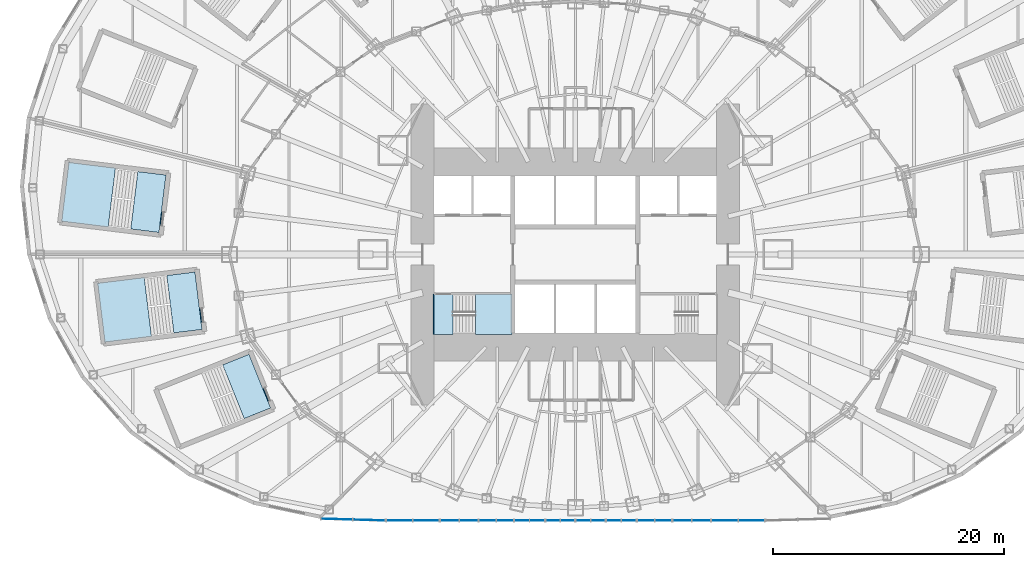
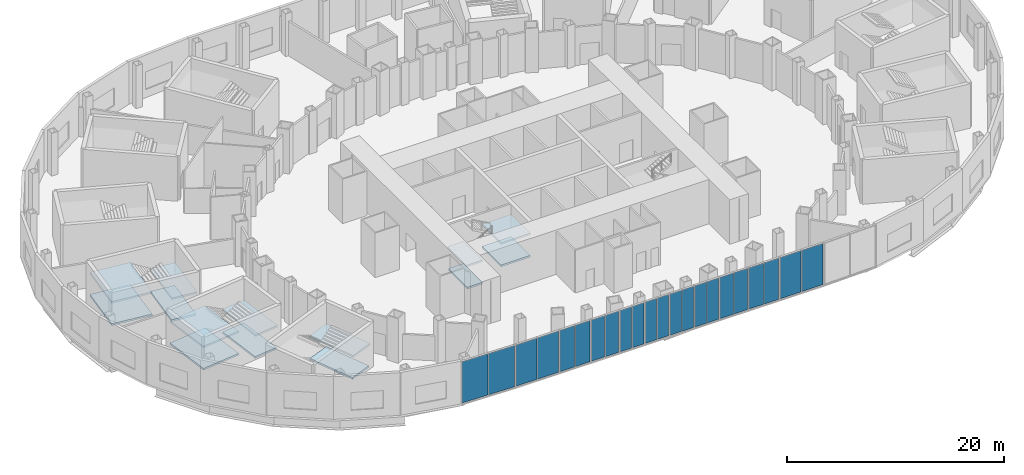
# One storey, part 11 of 73: 22 plates, 14 slabs, 15 elements without a shape of their own.
"""IFC4 building model written with IfcOpenShell, lengths in metres."""

from ifc_helpers import new_model, si_unit, direction, frame, origin, origin_2d, place, context, subcontext, project, spatial, polyline, rectangle, outline, extrude, material, layer, layer_set, type_object, element, aggregate, save


model = new_model("IFC4")

# Units and contexts
model_context = context("Model", 3, precision=1e-05, world=origin(), true_north=direction((0.0, 1.0)))
body_context = subcontext(model_context, "Body", "Model", "MODEL_VIEW")
ifc_project = project(units=[si_unit("LENGTHUNIT", "METRE"), si_unit("AREAUNIT", "SQUARE_METRE"), si_unit("VOLUMEUNIT", "CUBIC_METRE"), si_unit("PLANEANGLEUNIT", "RADIAN"), si_unit("MASSUNIT", "GRAM", prefix="KILO")], contexts=[model_context])

# Site, building, storey
site_placement = place(None, origin())
site = spatial("IfcSite", under=ifc_project, at=site_placement, CompositionType="ELEMENT")
building_placement = place(site_placement, origin())
building = spatial("IfcBuilding", under=site, at=building_placement, Name="Lantaw Convention Tower", CompositionType="ELEMENT")
storey_placement = place(building_placement, frame((0.0, 0.0, 27.0)))
storey = spatial("IfcBuildingStorey", under=building, at=storey_placement, Name="L04", CompositionType="ELEMENT", Elevation=27.0)

# Curtain wall, plates
ifc_material_1 = material(Name="Aluminium framed curtain wall", Category="aluminium")
curtain_wall_type = type_object("IfcCurtainWallType", Name="Podium storefront curtain wall, pale aluminium", PredefinedType="USERDEFINED", material=ifc_material_1)
curtain_wall_1_placement = place(storey_placement, origin())
curtain_wall_1 = element("IfcCurtainWall", 1, at=curtain_wall_1_placement, inside=storey, type_object=curtain_wall_type, Name="Podium storefront curtain wall, pale aluminium L04", ObjectType="STOREFRONT", PredefinedType="USERDEFINED")
ifc_material_2 = material(Name="Laminated clear glass", Category="glass")
ifc_layer_1 = layer(ifc_material_2, 0.031982421875)
ifc_layer_set_1 = layer_set([ifc_layer_1], Name="CW-P panel 32")
plate_type = type_object("IfcPlateType", Name="CW-P panel 32", PredefinedType="CURTAIN_PANEL", material=ifc_layer_set_1)
plate_1_placement = place(storey_placement, frame((-20.622802734375, -22.879638671875, 0.080078125), z_axis=(0.0, 0.0, 1.0), x_axis=(0.99959230263, -0.028552206976, 0.0)))
plate_1 = element("IfcPlate", 2, at=plate_1_placement, type_object=plate_type, Name="CW-P panel 1.1", PredefinedType="CURTAIN_PANEL", context=body_context, shape_type="SweptSolid", body=[
    extrude(rectangle(XDim=2.705810546875, YDim=0.031982421875, at=origin_2d()), origin(), (0.0, 0.0, 1.0), 4.639892578125),
])
plate_2_placement = place(storey_placement, frame((-17.838134765625, -22.958984375, 0.080078125), z_axis=(0.0, 0.0, 1.0), x_axis=(0.99959230263, -0.028552206976, 0.0)))
plate_2 = element("IfcPlate", 3, at=plate_2_placement, type_object=plate_type, Name="CW-P panel 2.1", PredefinedType="CURTAIN_PANEL", context=body_context, shape_type="SweptSolid", body=[
    extrude(rectangle(XDim=2.705810546875, YDim=0.031982421875, at=origin_2d()), origin(), (0.0, 0.0, 1.0), 4.639892578125),
])
aggregate(curtain_wall_1, [plate_1, plate_2])

curtain_wall_2_placement = place(storey_placement, origin())
curtain_wall_2 = element("IfcCurtainWall", 4, at=curtain_wall_2_placement, inside=storey, type_object=curtain_wall_type, Name="Podium storefront curtain wall, pale aluminium L04", ObjectType="STOREFRONT", PredefinedType="USERDEFINED")
plate_3_placement = place(storey_placement, frame((-15.214111328125, -23.0, 0.080078125), z_axis=(0.0, 0.0, 1.0), x_axis=(1.0, 0.0, 0.0)))
plate_3 = element("IfcPlate", 5, at=plate_3_placement, type_object=plate_type, Name="CW-P panel 1.1", PredefinedType="CURTAIN_PANEL", context=body_context, shape_type="SweptSolid", body=[
    extrude(rectangle(XDim=2.223388671875, YDim=0.031982421875, at=origin_2d()), origin(), (0.0, 0.0, 1.0), 4.639892578125),
])
plate_4_placement = place(storey_placement, frame((-12.91064453125, -23.0, 0.080078125), z_axis=(0.0, 0.0, 1.0), x_axis=(1.0, 0.0, 0.0)))
plate_4 = element("IfcPlate", 6, at=plate_4_placement, type_object=plate_type, Name="CW-P panel 2.1", PredefinedType="CURTAIN_PANEL", context=body_context, shape_type="SweptSolid", body=[
    extrude(rectangle(XDim=2.223388671875, YDim=0.031982421875, at=origin_2d()), origin(), (0.0, 0.0, 1.0), 4.639892578125),
])
aggregate(curtain_wall_2, [plate_3, plate_4])

curtain_wall_3_placement = place(storey_placement, origin())
curtain_wall_3 = element("IfcCurtainWall", 7, at=curtain_wall_3_placement, inside=storey, type_object=curtain_wall_type, Name="Podium storefront curtain wall, pale aluminium L04", ObjectType="STOREFRONT", PredefinedType="USERDEFINED")
plate_5_placement = place(storey_placement, frame((-10.862060546875, -23.0, 0.080078125), z_axis=(0.0, 0.0, 1.0), x_axis=(1.0, 0.0, 0.0)))
plate_5 = element("IfcPlate", 8, at=plate_5_placement, type_object=plate_type, Name="CW-P panel 1.1", PredefinedType="CURTAIN_PANEL", context=body_context, shape_type="SweptSolid", body=[
    extrude(rectangle(XDim=1.553955078125, YDim=0.031982421875, at=origin_2d()), origin(), (0.0, 0.0, 1.0), 4.639892578125),
])
plate_6_placement = place(storey_placement, frame((-9.228271484375, -23.0, 0.080078125), z_axis=(0.0, 0.0, 1.0), x_axis=(1.0, 0.0, 0.0)))
plate_6 = element("IfcPlate", 9, at=plate_6_placement, type_object=plate_type, Name="CW-P panel 2.1", PredefinedType="CURTAIN_PANEL", context=body_context, shape_type="SweptSolid", body=[
    extrude(rectangle(XDim=1.553955078125, YDim=0.031982421875, at=origin_2d()), origin(), (0.0, 0.0, 1.0), 4.639892578125),
])
aggregate(curtain_wall_3, [plate_5, plate_6])

curtain_wall_4_placement = place(storey_placement, origin())
curtain_wall_4 = element("IfcCurtainWall", 10, at=curtain_wall_4_placement, inside=storey, type_object=curtain_wall_type, Name="Podium storefront curtain wall, pale aluminium L04", ObjectType="STOREFRONT", PredefinedType="USERDEFINED")
plate_7_placement = place(storey_placement, frame((-7.5859375, -23.0, 0.080078125), z_axis=(0.0, 0.0, 1.0), x_axis=(1.0, 0.0, 0.0)))
plate_7 = element("IfcPlate", 11, at=plate_7_placement, type_object=plate_type, Name="CW-P panel 1.1", PredefinedType="CURTAIN_PANEL", context=body_context, shape_type="SweptSolid", body=[
    extrude(rectangle(XDim=1.41064453125, YDim=0.031982421875, at=origin_2d()), origin(), (0.0, 0.0, 1.0), 4.639892578125),
])
plate_8_placement = place(storey_placement, frame((-6.09521484375, -23.0, 0.080078125), z_axis=(0.0, 0.0, 1.0), x_axis=(1.0, 0.0, 0.0)))
plate_8 = element("IfcPlate", 12, at=plate_8_placement, type_object=plate_type, Name="CW-P panel 2.1", PredefinedType="CURTAIN_PANEL", context=body_context, shape_type="SweptSolid", body=[
    extrude(rectangle(XDim=1.41064453125, YDim=0.031982421875, at=origin_2d()), origin(), (0.0, 0.0, 1.0), 4.639892578125),
])
aggregate(curtain_wall_4, [plate_7, plate_8])

curtain_wall_5_placement = place(storey_placement, origin())
curtain_wall_5 = element("IfcCurtainWall", 13, at=curtain_wall_5_placement, inside=storey, type_object=curtain_wall_type, Name="Podium storefront curtain wall, pale aluminium L04", ObjectType="STOREFRONT", PredefinedType="USERDEFINED")
plate_9_placement = place(storey_placement, frame((-4.61767578125, -23.0, 0.080078125), z_axis=(0.0, 0.0, 1.0), x_axis=(1.0, 0.0, 0.0)))
plate_9 = element("IfcPlate", 14, at=plate_9_placement, type_object=plate_type, Name="CW-P panel 1.1", PredefinedType="CURTAIN_PANEL", context=body_context, shape_type="SweptSolid", body=[
    extrude(rectangle(XDim=1.224609375, YDim=0.031982421875, at=origin_2d()), origin(), (0.0, 0.0, 1.0), 4.639892578125),
])
plate_10_placement = place(storey_placement, frame((-3.31298828125, -23.0, 0.080078125), z_axis=(0.0, 0.0, 1.0), x_axis=(1.0, 0.0, 0.0)))
plate_10 = element("IfcPlate", 15, at=plate_10_placement, type_object=plate_type, Name="CW-P panel 2.1", PredefinedType="CURTAIN_PANEL", context=body_context, shape_type="SweptSolid", body=[
    extrude(rectangle(XDim=1.224609375, YDim=0.031982421875, at=origin_2d()), origin(), (0.0, 0.0, 1.0), 4.639892578125),
])
aggregate(curtain_wall_5, [plate_9, plate_10])

curtain_wall_6_placement = place(storey_placement, origin())
curtain_wall_6 = element("IfcCurtainWall", 16, at=curtain_wall_6_placement, inside=storey, type_object=curtain_wall_type, Name="Podium storefront curtain wall, pale aluminium L04", ObjectType="STOREFRONT", PredefinedType="USERDEFINED")
plate_11_placement = place(storey_placement, frame((-1.9453125, -23.0, 0.080078125), z_axis=(0.0, 0.0, 1.0), x_axis=(1.0, 0.0, 0.0)))
plate_11 = element("IfcPlate", 17, at=plate_11_placement, type_object=plate_type, Name="CW-P panel 1.1", PredefinedType="CURTAIN_PANEL", context=body_context, shape_type="SweptSolid", body=[
    extrude(rectangle(XDim=1.190185546875, YDim=0.031982421875, at=origin_2d()), origin(), (0.0, 0.0, 1.0), 4.639892578125),
])
plate_12_placement = place(storey_placement, frame((-0.675048828125, -23.0, 0.080078125), z_axis=(0.0, 0.0, 1.0), x_axis=(1.0, 0.0, 0.0)))
plate_12 = element("IfcPlate", 18, at=plate_12_placement, type_object=plate_type, Name="CW-P panel 2.1", PredefinedType="CURTAIN_PANEL", context=body_context, shape_type="SweptSolid", body=[
    extrude(rectangle(XDim=1.190185546875, YDim=0.031982421875, at=origin_2d()), origin(), (0.0, 0.0, 1.0), 4.639892578125),
])
aggregate(curtain_wall_6, [plate_11, plate_12])

curtain_wall_7_placement = place(storey_placement, origin())
curtain_wall_7 = element("IfcCurtainWall", 19, at=curtain_wall_7_placement, inside=storey, type_object=curtain_wall_type, Name="Podium storefront curtain wall, pale aluminium L04", ObjectType="STOREFRONT", PredefinedType="USERDEFINED")
plate_13_placement = place(storey_placement, frame((0.675048828125, -23.0, 0.080078125), z_axis=(0.0, 0.0, 1.0), x_axis=(1.0, 0.0, 0.0)))
plate_13 = element("IfcPlate", 20, at=plate_13_placement, type_object=plate_type, Name="CW-P panel 1.1", PredefinedType="CURTAIN_PANEL", context=body_context, shape_type="SweptSolid", body=[
    extrude(rectangle(XDim=1.190185546875, YDim=0.031982421875, at=origin_2d()), origin(), (0.0, 0.0, 1.0), 4.639892578125),
])
plate_14_placement = place(storey_placement, frame((1.9453125, -23.0, 0.080078125), z_axis=(0.0, 0.0, 1.0), x_axis=(1.0, 0.0, 0.0)))
plate_14 = element("IfcPlate", 21, at=plate_14_placement, type_object=plate_type, Name="CW-P panel 2.1", PredefinedType="CURTAIN_PANEL", context=body_context, shape_type="SweptSolid", body=[
    extrude(rectangle(XDim=1.190185546875, YDim=0.031982421875, at=origin_2d()), origin(), (0.0, 0.0, 1.0), 4.639892578125),
])
aggregate(curtain_wall_7, [plate_13, plate_14])

curtain_wall_8_placement = place(storey_placement, origin())
curtain_wall_8 = element("IfcCurtainWall", 22, at=curtain_wall_8_placement, inside=storey, type_object=curtain_wall_type, Name="Podium storefront curtain wall, pale aluminium L04", ObjectType="STOREFRONT", PredefinedType="USERDEFINED")
plate_15_placement = place(storey_placement, frame((3.31298828125, -23.0, 0.080078125), z_axis=(0.0, 0.0, 1.0), x_axis=(1.0, 0.0, 0.0)))
plate_15 = element("IfcPlate", 23, at=plate_15_placement, type_object=plate_type, Name="CW-P panel 1.1", PredefinedType="CURTAIN_PANEL", context=body_context, shape_type="SweptSolid", body=[
    extrude(rectangle(XDim=1.224609375, YDim=0.031982421875, at=origin_2d()), origin(), (0.0, 0.0, 1.0), 4.639892578125),
])
plate_16_placement = place(storey_placement, frame((4.61767578125, -23.0, 0.080078125), z_axis=(0.0, 0.0, 1.0), x_axis=(1.0, 0.0, 0.0)))
plate_16 = element("IfcPlate", 24, at=plate_16_placement, type_object=plate_type, Name="CW-P panel 2.1", PredefinedType="CURTAIN_PANEL", context=body_context, shape_type="SweptSolid", body=[
    extrude(rectangle(XDim=1.224609375, YDim=0.031982421875, at=origin_2d()), origin(), (0.0, 0.0, 1.0), 4.639892578125),
])
aggregate(curtain_wall_8, [plate_15, plate_16])

curtain_wall_9_placement = place(storey_placement, origin())
curtain_wall_9 = element("IfcCurtainWall", 25, at=curtain_wall_9_placement, inside=storey, type_object=curtain_wall_type, Name="Podium storefront curtain wall, pale aluminium L04", ObjectType="STOREFRONT", PredefinedType="USERDEFINED")
plate_17_placement = place(storey_placement, frame((6.09521484375, -23.0, 0.080078125), z_axis=(0.0, 0.0, 1.0), x_axis=(1.0, 0.0, 0.0)))
plate_17 = element("IfcPlate", 26, at=plate_17_placement, type_object=plate_type, Name="CW-P panel 1.1", PredefinedType="CURTAIN_PANEL", context=body_context, shape_type="SweptSolid", body=[
    extrude(rectangle(XDim=1.41064453125, YDim=0.031982421875, at=origin_2d()), origin(), (0.0, 0.0, 1.0), 4.639892578125),
])
plate_18_placement = place(storey_placement, frame((7.5859375, -23.0, 0.080078125), z_axis=(0.0, 0.0, 1.0), x_axis=(1.0, 0.0, 0.0)))
plate_18 = element("IfcPlate", 27, at=plate_18_placement, type_object=plate_type, Name="CW-P panel 2.1", PredefinedType="CURTAIN_PANEL", context=body_context, shape_type="SweptSolid", body=[
    extrude(rectangle(XDim=1.41064453125, YDim=0.031982421875, at=origin_2d()), origin(), (0.0, 0.0, 1.0), 4.639892578125),
])
aggregate(curtain_wall_9, [plate_17, plate_18])

curtain_wall_10_placement = place(storey_placement, origin())
curtain_wall_10 = element("IfcCurtainWall", 28, at=curtain_wall_10_placement, inside=storey, type_object=curtain_wall_type, Name="Podium storefront curtain wall, pale aluminium L04", ObjectType="STOREFRONT", PredefinedType="USERDEFINED")
plate_19_placement = place(storey_placement, frame((9.228271484375, -23.0, 0.080078125), z_axis=(0.0, 0.0, 1.0), x_axis=(1.0, 0.0, 0.0)))
plate_19 = element("IfcPlate", 29, at=plate_19_placement, type_object=plate_type, Name="CW-P panel 1.1", PredefinedType="CURTAIN_PANEL", context=body_context, shape_type="SweptSolid", body=[
    extrude(rectangle(XDim=1.553955078125, YDim=0.031982421875, at=origin_2d()), origin(), (0.0, 0.0, 1.0), 4.639892578125),
])
plate_20_placement = place(storey_placement, frame((10.862060546875, -23.0, 0.080078125), z_axis=(0.0, 0.0, 1.0), x_axis=(1.0, 0.0, 0.0)))
plate_20 = element("IfcPlate", 30, at=plate_20_placement, type_object=plate_type, Name="CW-P panel 2.1", PredefinedType="CURTAIN_PANEL", context=body_context, shape_type="SweptSolid", body=[
    extrude(rectangle(XDim=1.553955078125, YDim=0.031982421875, at=origin_2d()), origin(), (0.0, 0.0, 1.0), 4.639892578125),
])
aggregate(curtain_wall_10, [plate_19, plate_20])

curtain_wall_11_placement = place(storey_placement, origin())
curtain_wall_11 = element("IfcCurtainWall", 31, at=curtain_wall_11_placement, inside=storey, type_object=curtain_wall_type, Name="Podium storefront curtain wall, pale aluminium L04", ObjectType="STOREFRONT", PredefinedType="USERDEFINED")
plate_21_placement = place(storey_placement, frame((12.91064453125, -23.0, 0.080078125), z_axis=(0.0, 0.0, 1.0), x_axis=(1.0, 0.0, 0.0)))
plate_21 = element("IfcPlate", 32, at=plate_21_placement, type_object=plate_type, Name="CW-P panel 1.1", PredefinedType="CURTAIN_PANEL", context=body_context, shape_type="SweptSolid", body=[
    extrude(rectangle(XDim=2.223388671875, YDim=0.031982421875, at=origin_2d()), origin(), (0.0, 0.0, 1.0), 4.639892578125),
])
plate_22_placement = place(storey_placement, frame((15.214111328125, -23.0, 0.080078125), z_axis=(0.0, 0.0, 1.0), x_axis=(1.0, 0.0, 0.0)))
plate_22 = element("IfcPlate", 33, at=plate_22_placement, type_object=plate_type, Name="CW-P panel 2.1", PredefinedType="CURTAIN_PANEL", context=body_context, shape_type="SweptSolid", body=[
    extrude(rectangle(XDim=2.223388671875, YDim=0.031982421875, at=origin_2d()), origin(), (0.0, 0.0, 1.0), 4.639892578125),
])
aggregate(curtain_wall_11, [plate_21, plate_22])

# Stair, slabs
ifc_material_3 = material(Name="Concrete C35/45", Category="concrete")
stair_type_1 = type_object("IfcStairType", Name="Exit stair 1500 riser 156.25 in 4 flights", PredefinedType="HALF_TURN_STAIR", material=ifc_material_3)
stair_1_placement = place(storey_placement, origin())
stair_1 = element("IfcStair", 34, at=stair_1_placement, inside=storey, type_object=stair_type_1, Name="Exit stair S1 L04", PredefinedType="HALF_TURN_STAIR")
ifc_layer_2 = layer(ifc_material_3, 0.199951171875)
ifc_layer_set_2 = layer_set([ifc_layer_2], Name="Stair landing 200")
slab_type = type_object("IfcSlabType", Name="Stair landing 200", PredefinedType="LANDING", material=ifc_layer_set_2)
slab_1_placement = place(storey_placement, frame((0.0, 0.0, -0.199951171875)))
slab_1 = element("IfcSlab", 35, at=slab_1_placement, type_object=slab_type, Name="S1 landing 1", PredefinedType="LANDING", context=body_context, shape_type="SweptSolid", body=[
    extrude(outline(polyline([(-12.199951171875, -6.89990234375), (-10.580078125, -6.89990234375), (-10.580078125, -3.39990234375), (-12.199951171875, -3.39990234375), (-12.199951171875, -6.89990234375)])), origin(), (0.0, 0.0, 1.0), 0.199951171875),
])
slab_2_placement = place(storey_placement, frame((0.0, 0.0, 1.050048828125)))
slab_2 = element("IfcSlab", 36, at=slab_2_placement, type_object=slab_type, Name="S1 landing 2", PredefinedType="LANDING", context=body_context, shape_type="SweptSolid", body=[
    extrude(outline(polyline([(-8.6201171875, -6.89990234375), (-5.5, -6.89990234375), (-5.5, -3.39990234375), (-8.6201171875, -3.39990234375), (-8.6201171875, -6.89990234375)])), origin(), (0.0, 0.0, 1.0), 0.199951171875),
])
slab_3_placement = place(storey_placement, frame((0.0, 0.0, 2.300048828125)))
slab_3 = element("IfcSlab", 37, at=slab_3_placement, type_object=slab_type, Name="S1 landing 3", PredefinedType="LANDING", context=body_context, shape_type="SweptSolid", body=[
    extrude(outline(polyline([(-12.300048828125, -6.89990234375), (-10.580078125, -6.89990234375), (-10.580078125, -3.39990234375), (-12.300048828125, -3.39990234375), (-12.300048828125, -6.89990234375)])), origin(), (0.0, 0.0, 1.0), 0.199951171875),
])
slab_4_placement = place(storey_placement, frame((0.0, 0.0, 3.550048828125)))
slab_4 = element("IfcSlab", 38, at=slab_4_placement, type_object=slab_type, Name="S1 landing 4", PredefinedType="LANDING", context=body_context, shape_type="SweptSolid", body=[
    extrude(outline(polyline([(-8.6201171875, -6.89990234375), (-5.5, -6.89990234375), (-5.5, -3.39990234375), (-8.6201171875, -3.39990234375), (-8.6201171875, -6.89990234375)])), origin(), (0.0, 0.0, 1.0), 0.199951171875),
])
aggregate(stair_1, [slab_1, slab_2, slab_3, slab_4])

stair_type_2 = type_object("IfcStairType", Name="Exit stair 2400 riser 156.25 in 4 flights", PredefinedType="HALF_TURN_STAIR", material=ifc_material_3)
stair_2_placement = place(storey_placement, origin())
stair_2 = element("IfcStair", 39, at=stair_2_placement, inside=storey, type_object=stair_type_2, Name="Podium exit stair P9 L04", PredefinedType="HALF_TURN_STAIR")
slab_5_placement = place(storey_placement, frame((0.0, 0.0, -0.199951171875)))
slab_5 = element("IfcSlab", 40, at=slab_5_placement, type_object=slab_type, Name="P9 landing 1", PredefinedType="LANDING", context=body_context, shape_type="SweptSolid", body=[
    extrude(outline(polyline([(-35.387451171875, 6.86376953125), (-37.8212890625, 7.16259765625), (-38.4306640625, 2.199951171875), (-35.996826171875, 1.901123046875), (-35.387451171875, 6.86376953125)])), origin(), (0.0, 0.0, 1.0), 0.199951171875),
])
slab_6_placement = place(storey_placement, frame((0.0, 0.0, 1.050048828125)))
slab_6 = element("IfcSlab", 41, at=slab_6_placement, type_object=slab_type, Name="P9 landing 2", PredefinedType="LANDING", context=body_context, shape_type="SweptSolid", body=[
    extrude(outline(polyline([(-39.7529296875, 7.48046875), (-43.794677734375, 7.9765625), (-44.42333984375, 2.855224609375), (-40.3818359375, 2.35888671875), (-39.7529296875, 7.48046875)])), origin(), (0.0, 0.0, 1.0), 0.199951171875),
])
slab_7_placement = place(storey_placement, frame((0.0, 0.0, 2.300048828125)))
slab_7 = element("IfcSlab", 42, at=slab_7_placement, type_object=slab_type, Name="P9 landing 3", PredefinedType="LANDING", context=body_context, shape_type="SweptSolid", body=[
    extrude(outline(polyline([(-35.29833984375, 6.93359375), (-37.8115234375, 7.241943359375), (-38.4404296875, 2.12060546875), (-35.92724609375, 1.81201171875), (-35.29833984375, 6.93359375)])), origin(), (0.0, 0.0, 1.0), 0.199951171875),
])
slab_8_placement = place(storey_placement, frame((0.0, 0.0, 3.550048828125)))
slab_8 = element("IfcSlab", 43, at=slab_8_placement, type_object=slab_type, Name="P9 landing 4", PredefinedType="LANDING", context=body_context, shape_type="SweptSolid", body=[
    extrude(outline(polyline([(-39.7529296875, 7.48046875), (-43.794677734375, 7.9765625), (-44.42333984375, 2.855224609375), (-40.3818359375, 2.35888671875), (-39.7529296875, 7.48046875)])), origin(), (0.0, 0.0, 1.0), 0.199951171875),
])
aggregate(stair_2, [slab_5, slab_6, slab_7, slab_8])

stair_3_placement = place(storey_placement, origin())
stair_3 = element("IfcStair", 44, at=stair_3_placement, inside=storey, type_object=stair_type_2, Name="Podium exit stair P10 L04", PredefinedType="HALF_TURN_STAIR")
slab_9_placement = place(storey_placement, frame((0.0, 0.0, -0.199951171875)))
slab_9 = element("IfcSlab", 45, at=slab_9_placement, type_object=slab_type, Name="P10 landing 1", PredefinedType="LANDING", context=body_context, shape_type="SweptSolid", body=[
    extrude(outline(polyline([(-32.8828125, -1.518798828125), (-35.31640625, -1.817626953125), (-34.70703125, -6.7802734375), (-32.2734375, -6.4814453125), (-32.8828125, -1.518798828125)])), origin(), (0.0, 0.0, 1.0), 0.199951171875),
])
slab_10_placement = place(storey_placement, frame((0.0, 0.0, 1.050048828125)))
slab_10 = element("IfcSlab", 46, at=slab_10_placement, type_object=slab_type, Name="P10 landing 2", PredefinedType="LANDING", context=body_context, shape_type="SweptSolid", body=[
    extrude(outline(polyline([(-37.267578125, -1.9765625), (-41.309326171875, -2.47265625), (-40.680419921875, -7.59423828125), (-36.638916015625, -7.09814453125), (-37.267578125, -1.9765625)])), origin(), (0.0, 0.0, 1.0), 0.199951171875),
])
slab_11_placement = place(storey_placement, frame((0.0, 0.0, 2.300048828125)))
slab_11 = element("IfcSlab", 47, at=slab_11_placement, type_object=slab_type, Name="P10 landing 3", PredefinedType="LANDING", context=body_context, shape_type="SweptSolid", body=[
    extrude(outline(polyline([(-32.81298828125, -1.4296875), (-35.326171875, -1.738037109375), (-34.697265625, -6.859619140625), (-32.184326171875, -6.551025390625), (-32.81298828125, -1.4296875)])), origin(), (0.0, 0.0, 1.0), 0.199951171875),
])
slab_12_placement = place(storey_placement, frame((0.0, 0.0, 3.550048828125)))
slab_12 = element("IfcSlab", 48, at=slab_12_placement, type_object=slab_type, Name="P10 landing 4", PredefinedType="LANDING", context=body_context, shape_type="SweptSolid", body=[
    extrude(outline(polyline([(-37.267578125, -1.9765625), (-41.309326171875, -2.47265625), (-40.680419921875, -7.59423828125), (-36.638916015625, -7.09814453125), (-37.267578125, -1.9765625)])), origin(), (0.0, 0.0, 1.0), 0.199951171875),
])
aggregate(stair_3, [slab_9, slab_10, slab_11, slab_12])

stair_4_placement = place(storey_placement, origin())
stair_4 = element("IfcStair", 49, at=stair_4_placement, inside=storey, type_object=stair_type_2, Name="Podium exit stair P11 L04", PredefinedType="HALF_TURN_STAIR")
slab_13_placement = place(storey_placement, frame((0.0, 0.0, -0.199951171875)))
slab_13 = element("IfcSlab", 50, at=slab_13_placement, type_object=slab_type, Name="P11 landing 1", PredefinedType="LANDING", context=body_context, shape_type="SweptSolid", body=[
    extrude(outline(polyline([(-28.209716796875, -8.630615234375), (-30.4853515625, -9.544189453125), (-28.62255859375, -14.18408203125), (-26.346923828125, -13.270751953125), (-28.209716796875, -8.630615234375)])), origin(), (0.0, 0.0, 1.0), 0.199951171875),
])
slab_14_placement = place(storey_placement, frame((0.0, 0.0, 2.300048828125)))
slab_14 = element("IfcSlab", 51, at=slab_14_placement, type_object=slab_type, Name="P11 landing 3", PredefinedType="LANDING", context=body_context, shape_type="SweptSolid", body=[
    extrude(outline(polyline([(-28.165283203125, -8.526611328125), (-30.51513671875, -9.4697265625), (-28.5927734375, -14.25830078125), (-26.242919921875, -13.315185546875), (-28.165283203125, -8.526611328125)])), origin(), (0.0, 0.0, 1.0), 0.199951171875),
])
aggregate(stair_4, [slab_13, slab_14])

save(model, "model.ifc")
